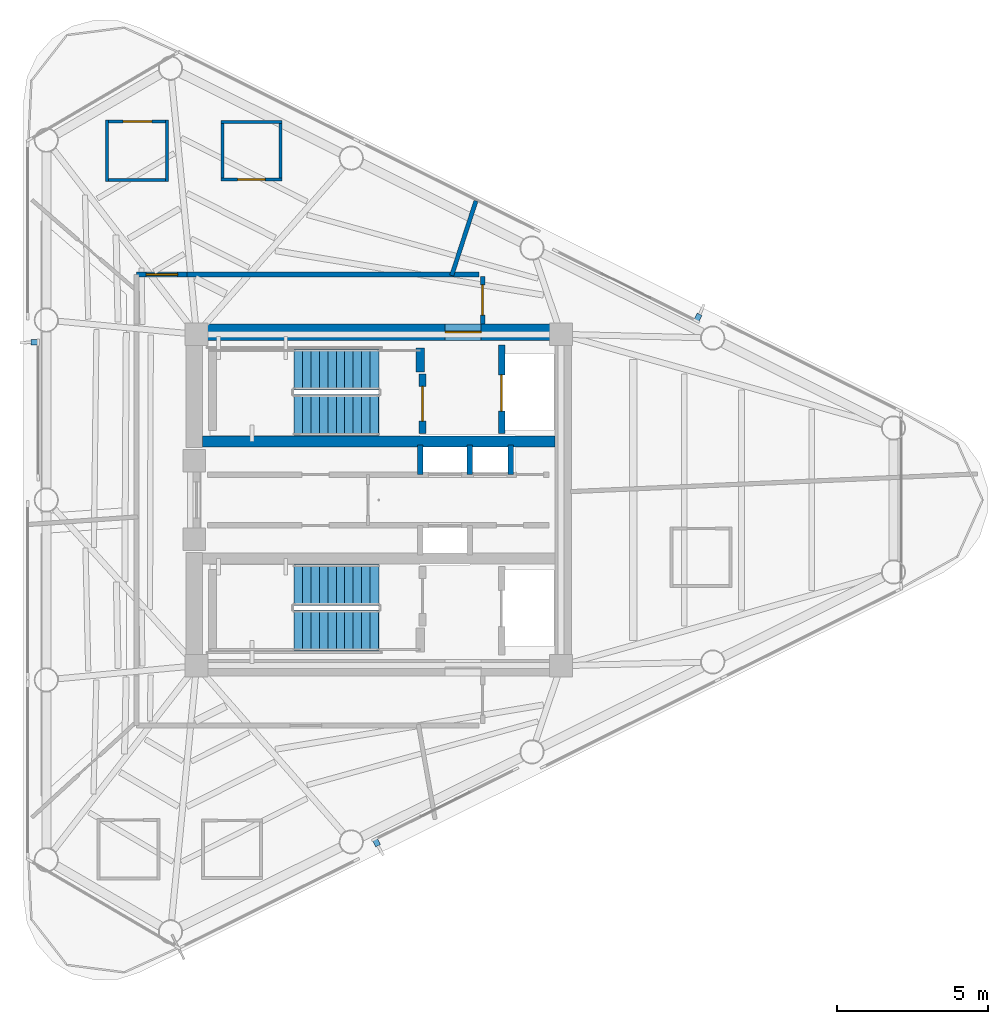
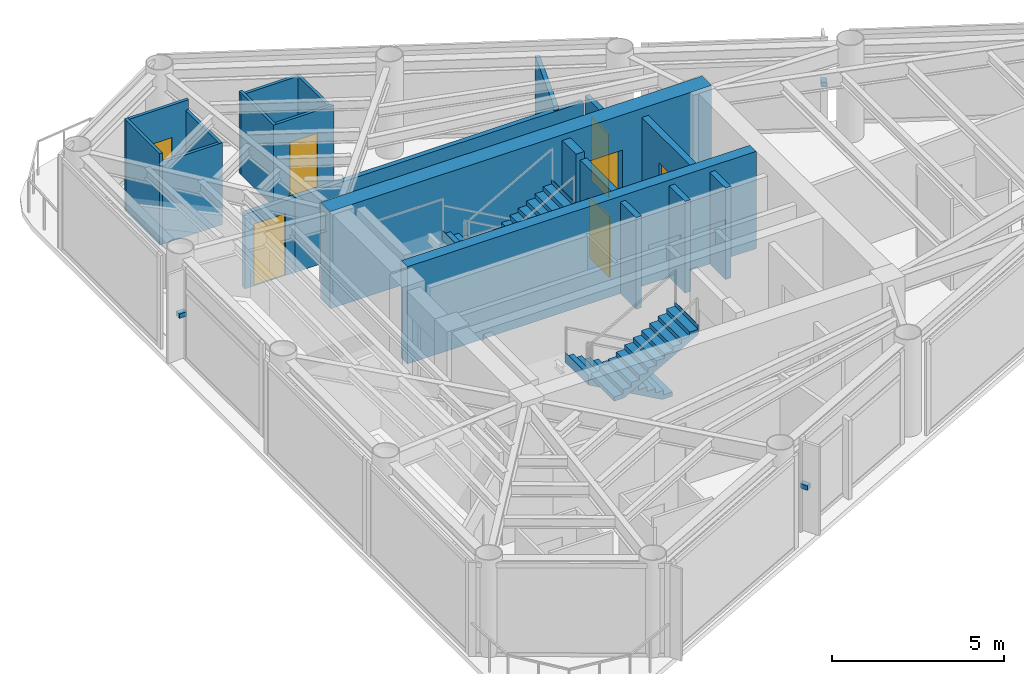
# One storey, part 6 of 10: 20 walls, 7 doors, 4 stair flights, 3 discrete accessories, 7 openings, 2 elements without a shape of their own.
"""IFC4 building model written with IfcOpenShell, lengths in metres."""

from ifc_helpers import new_model, si_unit, direction, frame, frame_2d, origin, origin_2d, place, context, subcontext, project, spatial, polyline, rectangle, outline, extrude, source, transform, mapped, material, layer, layer_set, type_object, element, fill, aggregate, save


model = new_model("IFC4")

# Units and contexts
model_context = context("Model", 3, precision=1e-05, world=origin(), true_north=direction((0.0, 1.0)))
body_context = subcontext(model_context, "Body", "Model", "MODEL_VIEW")
ifc_project = project(units=[si_unit("LENGTHUNIT", "METRE"), si_unit("AREAUNIT", "SQUARE_METRE"), si_unit("VOLUMEUNIT", "CUBIC_METRE"), si_unit("PLANEANGLEUNIT", "RADIAN"), si_unit("MASSUNIT", "GRAM", prefix="KILO")], contexts=[model_context])

# Site, building, storey
site_placement = place(None, origin())
site = spatial("IfcSite", under=ifc_project, at=site_placement, CompositionType="ELEMENT")
building_placement = place(site_placement, origin())
building = spatial("IfcBuilding", under=site, at=building_placement, Name="Yunling Apex Tower", CompositionType="ELEMENT")
storey_placement = place(building_placement, frame((0.0, 0.0, 300.199951171875)))
storey = spatial("IfcBuildingStorey", under=building, at=storey_placement, Name="L73", CompositionType="ELEMENT", Elevation=300.199951171875)

# Wall, opening, door
ifc_material_1 = material(Name="Concrete C40", Category="concrete")
ifc_layer_1 = layer(ifc_material_1, 0.550048828125)
ifc_layer_set_1 = layer_set([ifc_layer_1], Name="Concrete C40")
wall_type_1 = type_object("IfcWallType", Name="WL-COR-3", PredefinedType="SHEAR", material=ifc_layer_set_1)
wall_1_placement = place(storey_placement, frame((-6.39990234375, 5.574951171875, 0.0), z_axis=(0.0, 0.0, 1.0), x_axis=(1.0, 0.0, 0.0)))
wall_1 = element("IfcWall", 1, at=wall_1_placement, inside=storey, type_object=wall_type_1, Name="L73 North Core Shear Wall", PredefinedType="SHEAR", context=body_context, shape_type="SweptSolid", body=[
    extrude(rectangle(XDim=12.7998046875, YDim=0.550048828125, at=frame_2d((6.39990234375, 0.0))), origin(), (0.0, 0.0, 1.0), 3.449951171875),
])
opening_1_placement = place(wall_1_placement, frame((8.60009765625, 0.0, 0.0)))
opening_1 = element("IfcOpeningElement", 2, at=opening_1_placement, cuts=wall_1, Name="Opening DR-FFL-1", PredefinedType="OPENING", context=body_context, shape_type="SweptSolid", body=[
    extrude(rectangle(XDim=1.199951171875, YDim=2.199951171875, at=frame_2d((0.60009765625, 1.10009765625))), frame((0.0, 0.28515625, 0.0), z_axis=(0.0, -1.0, 0.0), x_axis=(1.0, 0.0, 0.0)), (0.0, 0.0, 1.0), 0.570068359375),
])
ifc_material_2 = material(Name="Steel Q355B", Category="steel")
door_type_1 = type_object("IfcDoorType", Name="DR-FFL-1", OperationType="NOTDEFINED", PredefinedType="DOOR", material=ifc_material_2)
door_1_placement = place(opening_1_placement, origin())
door_1 = element("IfcDoor", 3, at=door_1_placement, inside=storey, type_object=door_type_1, Name="L73 North Firefighting Lobby Door", OperationType="SINGLE_SWING_LEFT", OverallHeight=2.199951171875, OverallWidth=1.199951171875, PredefinedType="DOOR", context=body_context, shape_type="SweptSolid", body=[
    extrude(rectangle(XDim=1.199951171875, YDim=2.199951171875, at=frame_2d((0.60009765625, 1.10009765625))), frame((0.0, 0.02490234375, 0.0), z_axis=(0.0, -1.0, 0.0), x_axis=(1.0, 0.0, 0.0)), (0.0, 0.0, 1.0), 0.050048828125),
])
fill(opening_1, door_1)

# Walls
ifc_layer_2 = layer(ifc_material_1, 0.360107421875)
ifc_layer_set_2 = layer_set([ifc_layer_2], Name="Concrete C40")
wall_type_2 = type_object("IfcWallType", Name="WL-COR-4", PredefinedType="SHEAR", material=ifc_layer_set_2)
wall_2_placement = place(storey_placement, frame((-5.85009765625, 1.93994140625, 0.0), z_axis=(0.0, 0.0, 1.0), x_axis=(1.0, 0.0, 0.0)))
element("IfcWall", 4, at=wall_2_placement, inside=storey, type_object=wall_type_2, Name="L73 North Internal Core Shear Wall", PredefinedType="SHEAR", context=body_context, shape_type="SweptSolid", body=[
    extrude(rectangle(XDim=11.7001953125, YDim=0.360107421875, at=frame_2d((5.85009765625, 0.0))), origin(), (0.0, 0.0, 1.0), 3.449951171875),
])
ifc_layer_3 = layer(ifc_material_1, 0.280029296875)
ifc_layer_set_3 = layer_set([ifc_layer_3], Name="Concrete C40")
wall_type_3 = type_object("IfcWallType", Name="WL-COR-8", PredefinedType="SHEAR", material=ifc_layer_set_3)
wall_3_placement = place(storey_placement, frame((1.3798828125, 4.25, 0.0), z_axis=(0.0, 0.0, 1.0), x_axis=(0.0, 1.0, 0.0)))
element("IfcWall", 5, at=wall_3_placement, inside=storey, type_object=wall_type_3, Name="L73 ST-1 East Landing Bearing Pier", PredefinedType="SHEAR", context=body_context, shape_type="SweptSolid", body=[
    extrude(rectangle(XDim=0.800048828125, YDim=0.280029296875, at=frame_2d((0.39990234375, 0.0))), origin(), (0.0, 0.0, 1.0), 3.449951171875),
])

# Wall, opening, door
ifc_material_3 = material(Name="Gypsum board acoustic partition")
ifc_layer_4 = layer(ifc_material_3, 0.159912109375)
ifc_layer_set_4 = layer_set([ifc_layer_4], Name="Gypsum board acoustic partition")
wall_type_4 = type_object("IfcWallType", Name="WL-PRT-1", PredefinedType="PARTITIONING", material=ifc_layer_set_4)
wall_4_placement = place(storey_placement, frame((-8.0400390625, 7.489990234375, 0.0), z_axis=(0.0, 0.0, 1.0), x_axis=(1.0, 0.0, 0.0)))
wall_4 = element("IfcWall", 6, at=wall_4_placement, inside=storey, type_object=wall_type_4, Name="WL-CORR-L73-02", PredefinedType="PARTITIONING", context=body_context, shape_type="SweptSolid", body=[
    extrude(rectangle(XDim=1.679931640625, YDim=0.159912109375, at=frame_2d((0.83984375, 0.0))), origin(), (0.0, 0.0, 1.0), 2.655029296875),
])
opening_2_placement = place(wall_4_placement, frame((0.31494140625, 0.0, 0.0)))
opening_2 = element("IfcOpeningElement", 7, at=opening_2_placement, cuts=wall_4, Name="Opening DR-FL-1", PredefinedType="OPENING", context=body_context, shape_type="SweptSolid", body=[
    extrude(rectangle(XDim=1.050048828125, YDim=2.199951171875, at=frame_2d((0.52490234375, 1.10009765625))), frame((0.0, 0.08984375, 0.0), z_axis=(0.0, -1.0, 0.0), x_axis=(1.0, 0.0, 0.0)), (0.0, 0.0, 1.0), 0.179931640625),
])
ifc_material_4 = material(Name="Timber fire-rated leaf", Category="wood")
door_type_2 = type_object("IfcDoorType", Name="DR-FL-1", OperationType="NOTDEFINED", PredefinedType="DOOR", material=ifc_material_4)
door_2_placement = place(opening_2_placement, origin())
door_2 = element("IfcDoor", 8, at=door_2_placement, inside=storey, type_object=door_type_2, Name="L73 Unit 4 Entrance Door", OperationType="SINGLE_SWING_LEFT", OverallHeight=2.199951171875, OverallWidth=1.050048828125, PredefinedType="DOOR", context=body_context, shape_type="SweptSolid", body=[
    extrude(rectangle(XDim=1.050048828125, YDim=2.199951171875, at=frame_2d((0.52490234375, 1.10009765625))), frame((0.0, 0.02490234375, 0.0), z_axis=(0.0, -1.0, 0.0), x_axis=(1.0, 0.0, 0.0)), (0.0, 0.0, 1.0), 0.050048828125),
])
fill(opening_2, door_2)

# Wall
wall_5_placement = place(storey_placement, frame((-6.360107421875, 7.489990234375, 0.0), z_axis=(0.0, 0.0, 1.0), x_axis=(1.0, 0.0, 0.0)))
element("IfcWall", 9, at=wall_5_placement, inside=storey, type_object=wall_type_4, Name="WL-CORR-L73-03", PredefinedType="PARTITIONING", context=body_context, shape_type="SweptSolid", body=[
    extrude(rectangle(XDim=9.67919921875, YDim=0.159912109375, at=frame_2d((4.839599609375, 0.0))), origin(), (0.0, 0.0, 1.0), 2.655029296875),
])

# Wall, opening, door
wall_6_placement = place(storey_placement, frame((3.449951171875, 7.4248046875, 0.0), z_axis=(0.0, 0.0, 1.0), x_axis=(0.0, -1.0, 0.0)))
wall_6 = element("IfcWall", 10, at=wall_6_placement, inside=storey, type_object=wall_type_4, Name="WL-CORR-L73-04", PredefinedType="PARTITIONING", context=body_context, shape_type="SweptSolid", body=[
    extrude(rectangle(XDim=1.57470703125, YDim=0.159912109375, at=frame_2d((0.787353515625, 0.0))), origin(), (0.0, 0.0, 1.0), 2.85498046875),
])
opening_3_placement = place(wall_6_placement, frame((0.287353515625, 0.0, 0.0)))
opening_3 = element("IfcOpeningElement", 11, at=opening_3_placement, cuts=wall_6, Name="Opening DR-OFF-1", PredefinedType="OPENING", context=body_context, shape_type="SweptSolid", body=[
    extrude(rectangle(XDim=1.0, YDim=2.25, at=frame_2d((0.5, 1.125))), frame((0.0, 0.08984375, 0.0), z_axis=(0.0, -1.0, 0.0), x_axis=(1.0, 0.0, 0.0)), (0.0, 0.0, 1.0), 0.179931640625),
])
ifc_material_5 = material(Name="Bronze anodised aluminium", Category="aluminium")
door_type_3 = type_object("IfcDoorType", Name="DR-OFF-1", OperationType="NOTDEFINED", PredefinedType="DOOR", material=ifc_material_5)
door_3_placement = place(opening_3_placement, origin())
door_3 = element("IfcDoor", 12, at=door_3_placement, inside=storey, type_object=door_type_3, Name="L73 Residents Quiet Study Lounge Door", OperationType="SINGLE_SWING_RIGHT", OverallHeight=2.25, OverallWidth=1.0, PredefinedType="DOOR", context=body_context, shape_type="SweptSolid", body=[
    extrude(rectangle(XDim=1.0, YDim=2.25, at=frame_2d((0.5, 1.125))), frame((0.0, 0.02490234375, 0.0), z_axis=(0.0, -1.0, 0.0), x_axis=(1.0, 0.0, 0.0)), (0.0, 0.0, 1.0), 0.050048828125),
])
fill(opening_3, door_3)

# Walls
ifc_layer_5 = layer(ifc_material_3, 0.139892578125)
ifc_layer_set_5 = layer_set([ifc_layer_5], Name="Gypsum board acoustic partition")
wall_type_5 = type_object("IfcWallType", Name="WL-PRT-2", PredefinedType="PARTITIONING", material=ifc_layer_set_5)
wall_7_placement = place(storey_placement, frame((2.420654296875, 7.449951171875, 0.0), z_axis=(0.0, 0.0, 1.0), x_axis=(0.309047920595, 0.951046467201, 0.0)))
element("IfcWall", 13, at=wall_7_placement, inside=storey, type_object=wall_type_5, Name="WL-RAD-L73-02", PredefinedType="PARTITIONING", context=body_context, shape_type="SweptSolid", body=[
    extrude(rectangle(XDim=2.6044921875, YDim=0.139892578125, at=frame_2d((1.30224609375, 0.0))), origin(), (0.0, 0.0, 1.0), 2.81494140625),
])
ifc_layer_6 = layer(ifc_material_3, 0.10009765625)
ifc_layer_set_6 = layer_set([ifc_layer_6], Name="Gypsum board acoustic partition")
wall_type_6 = type_object("IfcWallType", Name="WL-PRT-4", PredefinedType="PARTITIONING", material=ifc_layer_set_6)
wall_8_placement = place(storey_placement, frame((-5.239013671875, 12.5400390625, 0.0), z_axis=(0.0, 0.0, 1.0), x_axis=(1.0, 0.0, 0.0)))
element("IfcWall", 14, at=wall_8_placement, inside=storey, type_object=wall_type_6, Name="WL-L73-U4BTHN", PredefinedType="PARTITIONING", context=body_context, shape_type="SweptSolid", body=[
    extrude(rectangle(XDim=2.02001953125, YDim=0.10009765625, at=frame_2d((1.010009765625, 0.0))), origin(), (0.0, 0.0, 1.0), 2.81494140625),
])

# Wall, opening, door
wall_9_placement = place(storey_placement, frame((-3.218994140625, 10.639892578125, 0.0), z_axis=(0.0, 0.0, 1.0), x_axis=(-1.0, 0.0, 0.0)))
wall_9 = element("IfcWall", 15, at=wall_9_placement, inside=storey, type_object=wall_type_6, Name="WL-L73-U4BTHS", PredefinedType="PARTITIONING", context=body_context, shape_type="SweptSolid", body=[
    extrude(rectangle(XDim=2.02001953125, YDim=0.10009765625, at=frame_2d((1.010009765625, 0.0))), origin(), (0.0, 0.0, 1.0), 2.905029296875),
])
opening_4_placement = place(wall_9_placement, frame((0.550048828125, 0.0, 0.0)))
opening_4 = element("IfcOpeningElement", 16, at=opening_4_placement, cuts=wall_9, Name="Opening DR-WC-1", PredefinedType="OPENING", context=body_context, shape_type="SweptSolid", body=[
    extrude(rectangle(XDim=0.919921875, YDim=2.10009765625, at=frame_2d((0.4599609375, 1.050048828125))), frame((0.0, 0.06005859375, 0.0), z_axis=(0.0, -1.0, 0.0), x_axis=(1.0, 0.0, 0.0)), (0.0, 0.0, 1.0), 0.1201171875),
])
ifc_material_6 = material(Name="Timber moisture-resistant leaf", Category="wood")
door_type_4 = type_object("IfcDoorType", Name="DR-WC-1", OperationType="NOTDEFINED", PredefinedType="DOOR", material=ifc_material_6)
door_4_placement = place(opening_4_placement, origin())
door_4 = element("IfcDoor", 17, at=door_4_placement, inside=storey, type_object=door_type_4, Name="L73 Unit 4 Bathroom Door", OperationType="SINGLE_SWING_LEFT", OverallHeight=2.10009765625, OverallWidth=0.919921875, PredefinedType="DOOR", context=body_context, shape_type="SweptSolid", body=[
    extrude(rectangle(XDim=0.919921875, YDim=2.10009765625, at=frame_2d((0.4599609375, 1.050048828125))), frame((0.0, 0.02490234375, 0.0), z_axis=(0.0, -1.0, 0.0), x_axis=(1.0, 0.0, 0.0)), (0.0, 0.0, 1.0), 0.050048828125),
])
fill(opening_4, door_4)

# Walls
wall_10_placement = place(storey_placement, frame((-3.26904296875, 12.590087890625, 0.0), z_axis=(0.0, 0.0, 1.0), x_axis=(0.0, -1.0, 0.0)))
element("IfcWall", 18, at=wall_10_placement, inside=storey, type_object=wall_type_6, Name="WL-L73-U4BTHE", PredefinedType="PARTITIONING", context=body_context, shape_type="SweptSolid", body=[
    extrude(rectangle(XDim=2.0, YDim=0.10009765625, at=frame_2d((1.0, 0.0))), origin(), (0.0, 0.0, 1.0), 2.81494140625),
])
wall_11_placement = place(storey_placement, frame((-5.18896484375, 10.590087890625, 0.0), z_axis=(0.0, 0.0, 1.0), x_axis=(0.0, 1.0, 0.0)))
element("IfcWall", 19, at=wall_11_placement, inside=storey, type_object=wall_type_6, Name="WL-L73-U4BTHW", PredefinedType="PARTITIONING", context=body_context, shape_type="SweptSolid", body=[
    extrude(rectangle(XDim=2.0, YDim=0.10009765625, at=frame_2d((1.0, 0.0))), origin(), (0.0, 0.0, 1.0), 2.905029296875),
])

# Wall, opening, door
wall_12_placement = place(storey_placement, frame((-9.074951171875, 12.56494140625, 0.0), z_axis=(0.0, 0.0, 1.0), x_axis=(1.0, 0.0, 0.0)))
wall_12 = element("IfcWall", 20, at=wall_12_placement, inside=storey, type_object=wall_type_6, Name="WL-L73-U4KITN", PredefinedType="PARTITIONING", context=body_context, shape_type="SweptSolid", body=[
    extrude(rectangle(XDim=2.099853515625, YDim=0.10009765625, at=frame_2d((1.0498046875, 0.0))), origin(), (0.0, 0.0, 1.0), 3.25),
])
opening_5_placement = place(wall_12_placement, frame((0.590087890625, 0.0, 0.0)))
opening_5 = element("IfcOpeningElement", 21, at=opening_5_placement, cuts=wall_12, Name="Opening DR-RM-1", PredefinedType="OPENING", context=body_context, shape_type="SweptSolid", body=[
    extrude(rectangle(XDim=0.949951171875, YDim=2.10009765625, at=frame_2d((0.47509765625, 1.050048828125))), frame((0.0, 0.06005859375, 0.0), z_axis=(0.0, -1.0, 0.0), x_axis=(1.0, 0.0, 0.0)), (0.0, 0.0, 1.0), 0.1201171875),
])
ifc_material_7 = material(Name="Timber flush leaf", Category="wood")
door_type_5 = type_object("IfcDoorType", Name="DR-RM-1", OperationType="NOTDEFINED", PredefinedType="DOOR", material=ifc_material_7)
door_5_placement = place(opening_5_placement, origin())
door_5 = element("IfcDoor", 22, at=door_5_placement, inside=storey, type_object=door_type_5, Name="L73 Unit 4 Kitchen Door", OperationType="SINGLE_SWING_RIGHT", OverallHeight=2.10009765625, OverallWidth=0.949951171875, PredefinedType="DOOR", context=body_context, shape_type="SweptSolid", body=[
    extrude(rectangle(XDim=0.949951171875, YDim=2.10009765625, at=frame_2d((0.47509765625, 1.050048828125))), frame((0.0, 0.02490234375, 0.0), z_axis=(0.0, -1.0, 0.0), x_axis=(1.0, 0.0, 0.0)), (0.0, 0.0, 1.0), 0.050048828125),
])
fill(opening_5, door_5)

# Walls
wall_13_placement = place(storey_placement, frame((-6.97509765625, 10.614990234375, 0.0), z_axis=(0.0, 0.0, 1.0), x_axis=(-1.0, 0.0, 0.0)))
element("IfcWall", 23, at=wall_13_placement, inside=storey, type_object=wall_type_6, Name="WL-L73-U4KITS", PredefinedType="PARTITIONING", context=body_context, shape_type="SweptSolid", body=[
    extrude(rectangle(XDim=2.099853515625, YDim=0.10009765625, at=frame_2d((1.0498046875, 0.0))), origin(), (0.0, 0.0, 1.0), 2.905029296875),
])
wall_14_placement = place(storey_placement, frame((-7.02490234375, 12.614990234375, 0.0), z_axis=(0.0, 0.0, 1.0), x_axis=(0.0, -1.0, 0.0)))
element("IfcWall", 24, at=wall_14_placement, inside=storey, type_object=wall_type_6, Name="WL-L73-U4KITE", PredefinedType="PARTITIONING", context=body_context, shape_type="SweptSolid", body=[
    extrude(rectangle(XDim=2.050048828125, YDim=0.10009765625, at=frame_2d((1.02490234375, 0.0))), origin(), (0.0, 0.0, 1.0), 2.905029296875),
])
wall_15_placement = place(storey_placement, frame((-9.02490234375, 10.56494140625, 0.0), z_axis=(0.0, 0.0, 1.0), x_axis=(0.0, 1.0, 0.0)))
element("IfcWall", 25, at=wall_15_placement, inside=storey, type_object=wall_type_6, Name="WL-L73-U4KITW", PredefinedType="PARTITIONING", context=body_context, shape_type="SweptSolid", body=[
    extrude(rectangle(XDim=2.050048828125, YDim=0.10009765625, at=frame_2d((1.02490234375, 0.0))), origin(), (0.0, 0.0, 1.0), 3.25),
])

# Wall, opening, door
ifc_material_8 = material(Name="Autoclaved aerated concrete masonry", Category="masonry")
ifc_layer_7 = layer(ifc_material_8, 0.219970703125)
ifc_layer_set_7 = layer_set([ifc_layer_7], Name="Autoclaved aerated concrete masonry")
wall_type_7 = type_object("IfcWallType", Name="WL-SHF-1", PredefinedType="PLUMBINGWALL", material=ifc_layer_set_7)
wall_16_placement = place(storey_placement, frame((1.449951171875, 2.199951171875, 0.0), z_axis=(0.0, 0.0, 1.0), x_axis=(0.0, 1.0, 0.0)))
wall_16 = element("IfcWall", 26, at=wall_16_placement, inside=storey, type_object=wall_type_7, Name="WL-ST1-E-L73", PredefinedType="PLUMBINGWALL", context=body_context, shape_type="SweptSolid", body=[
    extrude(rectangle(XDim=1.97998046875, YDim=0.219970703125, at=frame_2d((0.989990234375, 0.0))), origin(), (0.0, 0.0, 1.0), 3.25),
])
opening_6_placement = place(wall_16_placement, frame((0.419921875, 0.0, 0.0)))
opening_6 = element("IfcOpeningElement", 27, at=opening_6_placement, cuts=wall_16, Name="Opening DR-ST-1", PredefinedType="OPENING", context=body_context, shape_type="SweptSolid", body=[
    extrude(rectangle(XDim=1.14990234375, YDim=2.14990234375, at=frame_2d((0.574951171875, 1.074951171875))), frame((0.0, 0.1201171875, 0.0), z_axis=(0.0, -1.0, 0.0), x_axis=(1.0, 0.0, 0.0)), (0.0, 0.0, 1.0), 0.239990234375),
])
door_type_6 = type_object("IfcDoorType", Name="DR-ST-1", OperationType="NOTDEFINED", PredefinedType="DOOR", material=ifc_material_2)
door_6_placement = place(opening_6_placement, origin())
door_6 = element("IfcDoor", 28, at=door_6_placement, inside=storey, type_object=door_type_6, Name="L73 Stair ST-1 Fire Door", OperationType="SINGLE_SWING_LEFT", OverallHeight=2.14990234375, OverallWidth=1.14990234375, PredefinedType="DOOR", context=body_context, shape_type="SweptSolid", body=[
    extrude(rectangle(XDim=1.14990234375, YDim=2.14990234375, at=frame_2d((0.574951171875, 1.074951171875))), frame((0.0, 0.02490234375, 0.0), z_axis=(0.0, -1.0, 0.0), x_axis=(1.0, 0.0, 0.0)), (0.0, 0.0, 1.0), 0.050048828125),
])
fill(opening_6, door_6)

wall_17_placement = place(storey_placement, frame((4.080078125, 2.199951171875, 0.0), z_axis=(0.0, 0.0, 1.0), x_axis=(0.0, 1.0, 0.0)))
wall_17 = element("IfcWall", 29, at=wall_17_placement, inside=storey, type_object=wall_type_7, Name="WL-FFL1-W-L73", PredefinedType="PLUMBINGWALL", context=body_context, shape_type="SweptSolid", body=[
    extrude(rectangle(XDim=2.949951171875, YDim=0.219970703125, at=frame_2d((1.47509765625, 0.0))), origin(), (0.0, 0.0, 1.0), 3.25),
])
opening_7_placement = place(wall_17_placement, frame((0.75, 0.0, 0.0)))
opening_7 = element("IfcOpeningElement", 30, at=opening_7_placement, cuts=wall_17, Name="Opening LD-FFL-1", PredefinedType="OPENING", context=body_context, shape_type="SweptSolid", body=[
    extrude(rectangle(XDim=1.199951171875, YDim=2.25, at=frame_2d((0.60009765625, 1.125))), frame((0.0, 0.1201171875, 0.0), z_axis=(0.0, -1.0, 0.0), x_axis=(1.0, 0.0, 0.0)), (0.0, 0.0, 1.0), 0.239990234375),
])
door_type_7 = type_object("IfcDoorType", Name="LD-FFL-1", OperationType="DOUBLE_DOOR_SLIDING", PredefinedType="DOOR", material=ifc_material_2)
door_7_placement = place(opening_7_placement, origin())
door_7 = element("IfcDoor", 31, at=door_7_placement, inside=storey, type_object=door_type_7, Name="L73 Lift FFL-1 Landing Door", OperationType="DOUBLE_DOOR_SLIDING", OverallHeight=2.25, OverallWidth=1.199951171875, PredefinedType="DOOR", context=body_context, shape_type="SweptSolid", body=[
    extrude(rectangle(XDim=1.199951171875, YDim=2.25, at=frame_2d((0.60009765625, 1.125))), frame((0.0, 0.02490234375, 0.0), z_axis=(0.0, -1.0, 0.0), x_axis=(1.0, 0.0, 0.0)), (0.0, 0.0, 1.0), 0.050048828125),
])
fill(opening_7, door_7)

# Walls
ifc_layer_8 = layer(ifc_material_8, 0.179931640625)
ifc_layer_set_8 = layer_set([ifc_layer_8], Name="Autoclaved aerated concrete masonry")
wall_type_8 = type_object("IfcWallType", Name="WL-SHF-2", PredefinedType="PLUMBINGWALL", material=ifc_layer_set_8)
for number, where, z_axis, x_axis, name in (
    (32, (1.3798828125, 0.840087890625, 0.0), (0.0, 0.0, 1.0), (0.0, 1.0, 0.0), "WL-BNK-MH-N-L73"),
    (33, (3.02001953125, 0.840087890625, 0.0), (0.0, 0.0, 1.0), (0.0, 1.0, 0.0), "WL-DIV-H13-L73"),
    (34, (4.3798828125, 0.840087890625, 0.0), (0.0, 0.0, 1.0), (0.0, 1.0, 0.0), "WL-END-H3E-L73"),
):
    element("IfcWall", number, at=place(storey_placement, frame(where, z_axis=z_axis, x_axis=x_axis)), inside=storey, type_object=wall_type_8, Name=name, PredefinedType="PLUMBINGWALL", context=body_context, shape_type="SweptSolid", body=[
        extrude(rectangle(XDim=0.97998046875, YDim=0.179931640625, at=frame_2d((0.489990234375, 0.0))), origin(), (0.0, 0.0, 1.0), 3.25),
    ])

# Stair, stair flights
stair_type = type_object("IfcStairType", Name="ST-TWR-3", PredefinedType="HALF_TURN_STAIR", material=ifc_material_1)
stair_1_placement = place(storey_placement, origin())
stair_1 = element("IfcStair", 35, at=stair_1_placement, inside=storey, type_object=stair_type, Name="L73 North Core Smokeproof Exit Stair ST-1", PredefinedType="HALF_TURN_STAIR")
stair_flight_type = type_object("IfcStairFlightType", Name="SFL-TWR-3", PredefinedType="STRAIGHT", material=ifc_material_1)
stair_flight_1_placement = place(storey_placement, frame((-0.010009765625, 4.330078125, 0.0), z_axis=(0.0, 0.0, 1.0), x_axis=(-1.0, 0.0, 0.0)))
stair_flight_1 = element("IfcStairFlight", 36, at=stair_flight_1_placement, type_object=stair_flight_type, Name="ST-1 flight 1", NumberOfRisers=11, NumberOfTreads=10, PredefinedType="STRAIGHT", RiserHeight=0.156818182, TreadLength=0.28, context=body_context, shape_type="SweptSolid", body=[
    extrude(outline(polyline([(-0.011962890625, 0.0), (-0.011962890625, 0.15673828125), (0.0, 0.15673828125), (0.280029296875, 0.15673828125), (0.280029296875, 0.313720703125), (0.56005859375, 0.313720703125), (0.56005859375, 0.470458984375), (0.840087890625, 0.470458984375), (0.840087890625, 0.627197265625), (1.1201171875, 0.627197265625), (1.1201171875, 0.7841796875), (1.39990234375, 0.7841796875), (1.39990234375, 0.94091796875), (1.679931640625, 0.94091796875), (1.679931640625, 1.09765625), (1.9599609375, 1.09765625), (1.9599609375, 1.254638671875), (2.239990234375, 1.254638671875), (2.239990234375, 1.411376953125), (2.52001953125, 1.411376953125), (2.52001953125, 1.568115234375), (2.800048828125, 1.568115234375), (2.800048828125, 1.72509765625), (2.81201171875, 1.72509765625), (2.81201171875, 1.385009765625), (0.3271484375, 0.0), (-0.011962890625, 0.0)])), frame((0.0, 0.68017578125, 0.0), z_axis=(0.0, -1.0, 0.0), x_axis=(1.0, 0.0, 0.0)), (0.0, 0.0, 1.0), 1.360107421875),
])
stair_flight_2_placement = place(storey_placement, frame((-2.81005859375, 2.820068359375, 1.72509765625), z_axis=(0.0, 0.0, 1.0), x_axis=(1.0, 0.0, 0.0)))
stair_flight_2 = element("IfcStairFlight", 37, at=stair_flight_2_placement, type_object=stair_flight_type, Name="ST-1 flight 2", NumberOfRisers=11, NumberOfTreads=10, PredefinedType="STRAIGHT", RiserHeight=0.156818182, TreadLength=0.28, context=body_context, shape_type="SweptSolid", body=[
    extrude(outline(polyline([(-0.011962890625, 0.0), (-0.011962890625, 0.15673828125), (0.0, 0.15673828125), (0.280029296875, 0.15673828125), (0.280029296875, 0.313720703125), (0.56005859375, 0.313720703125), (0.56005859375, 0.470458984375), (0.840087890625, 0.470458984375), (0.840087890625, 0.627197265625), (1.1201171875, 0.627197265625), (1.1201171875, 0.7841796875), (1.39990234375, 0.7841796875), (1.39990234375, 0.94091796875), (1.679931640625, 0.94091796875), (1.679931640625, 1.09765625), (1.9599609375, 1.09765625), (1.9599609375, 1.254638671875), (2.239990234375, 1.254638671875), (2.239990234375, 1.411376953125), (2.52001953125, 1.411376953125), (2.52001953125, 1.568115234375), (2.800048828125, 1.568115234375), (2.800048828125, 1.72509765625), (2.81201171875, 1.72509765625), (2.81201171875, 1.385009765625), (0.3271484375, 0.0), (-0.011962890625, 0.0)])), frame((0.0, 0.68017578125, 0.0), z_axis=(0.0, -1.0, 0.0), x_axis=(1.0, 0.0, 0.0)), (0.0, 0.0, 1.0), 1.360107421875),
])
aggregate(stair_1, [stair_flight_1, stair_flight_2])

stair_2_placement = place(storey_placement, origin())
stair_2 = element("IfcStair", 38, at=stair_2_placement, inside=storey, type_object=stair_type, Name="L73 South Core Smokeproof Exit Stair ST-2", PredefinedType="HALF_TURN_STAIR")
stair_flight_3_placement = place(storey_placement, frame((-0.010009765625, -2.820068359375, 0.0), z_axis=(0.0, 0.0, 1.0), x_axis=(-1.0, 0.0, 0.0)))
stair_flight_3 = element("IfcStairFlight", 39, at=stair_flight_3_placement, type_object=stair_flight_type, Name="ST-2 flight 1", NumberOfRisers=11, NumberOfTreads=10, PredefinedType="STRAIGHT", RiserHeight=0.156818182, TreadLength=0.28, context=body_context, shape_type="SweptSolid", body=[
    extrude(outline(polyline([(-0.011962890625, 0.0), (-0.011962890625, 0.15673828125), (0.0, 0.15673828125), (0.280029296875, 0.15673828125), (0.280029296875, 0.313720703125), (0.56005859375, 0.313720703125), (0.56005859375, 0.470458984375), (0.840087890625, 0.470458984375), (0.840087890625, 0.627197265625), (1.1201171875, 0.627197265625), (1.1201171875, 0.7841796875), (1.39990234375, 0.7841796875), (1.39990234375, 0.94091796875), (1.679931640625, 0.94091796875), (1.679931640625, 1.09765625), (1.9599609375, 1.09765625), (1.9599609375, 1.254638671875), (2.239990234375, 1.254638671875), (2.239990234375, 1.411376953125), (2.52001953125, 1.411376953125), (2.52001953125, 1.568115234375), (2.800048828125, 1.568115234375), (2.800048828125, 1.72509765625), (2.81201171875, 1.72509765625), (2.81201171875, 1.385009765625), (0.3271484375, 0.0), (-0.011962890625, 0.0)])), frame((0.0, 0.68017578125, 0.0), z_axis=(0.0, -1.0, 0.0), x_axis=(1.0, 0.0, 0.0)), (0.0, 0.0, 1.0), 1.360107421875),
])
stair_flight_4_placement = place(storey_placement, frame((-2.81005859375, -4.330078125, 1.72509765625), z_axis=(0.0, 0.0, 1.0), x_axis=(1.0, 0.0, 0.0)))
stair_flight_4 = element("IfcStairFlight", 40, at=stair_flight_4_placement, type_object=stair_flight_type, Name="ST-2 flight 2", NumberOfRisers=11, NumberOfTreads=10, PredefinedType="STRAIGHT", RiserHeight=0.156818182, TreadLength=0.28, context=body_context, shape_type="SweptSolid", body=[
    extrude(outline(polyline([(-0.011962890625, 0.0), (-0.011962890625, 0.15673828125), (0.0, 0.15673828125), (0.280029296875, 0.15673828125), (0.280029296875, 0.313720703125), (0.56005859375, 0.313720703125), (0.56005859375, 0.470458984375), (0.840087890625, 0.470458984375), (0.840087890625, 0.627197265625), (1.1201171875, 0.627197265625), (1.1201171875, 0.7841796875), (1.39990234375, 0.7841796875), (1.39990234375, 0.94091796875), (1.679931640625, 0.94091796875), (1.679931640625, 1.09765625), (1.9599609375, 1.09765625), (1.9599609375, 1.254638671875), (2.239990234375, 1.254638671875), (2.239990234375, 1.411376953125), (2.52001953125, 1.411376953125), (2.52001953125, 1.568115234375), (2.800048828125, 1.568115234375), (2.800048828125, 1.72509765625), (2.81201171875, 1.72509765625), (2.81201171875, 1.385009765625), (0.3271484375, 0.0), (-0.011962890625, 0.0)])), frame((0.0, 0.68017578125, 0.0), z_axis=(0.0, -1.0, 0.0), x_axis=(1.0, 0.0, 0.0)), (0.0, 0.0, 1.0), 1.360107421875),
])
aggregate(stair_2, [stair_flight_3, stair_flight_4])

# Discrete accessories
discrete_accessory_type = type_object("IfcDiscreteAccessoryType", Name="BK-FIN-1", PredefinedType="BRACKET", material=ifc_material_2)
shared_shape = source(origin(), body_context, "Body", "SweptSolid", [
    extrude(rectangle(XDim=0.179931640625, YDim=0.260009765625, at=origin_2d()), origin(), (0.0, 0.0, 1.0), 0.159912109375),
])
for number, where, z_axis, x_axis, name in (
    (41, (-0.08203125, -11.361083984375, 1.55517578125), (0.0, 0.0, 1.0), (0.895245648325, 0.445572922377, 0.0), "CW-L73-F1-B2-BRK-01-1"),
    (42, (10.59326171875, 6.047607421875, 1.55517578125), (0.0, 0.0, 1.0), (-0.895245648325, 0.445572922377, 0.0), "CW-L73-F2-B2-BRK-01-1"),
    (43, (-11.417236328125, 5.232666015625, 1.55517578125), (0.0, 0.0, 1.0), (0.0, -1.0, 0.0), "CW-L73-F3-B2-BRK-01-1"),
):
    element("IfcDiscreteAccessory", number, at=place(storey_placement, frame(where, z_axis=z_axis, x_axis=x_axis)), inside=storey, type_object=discrete_accessory_type, Name=name, PredefinedType="BRACKET", context=body_context, shape_type="MappedRepresentation", body=[
        mapped(shared_shape, transform((0.0, 0.0, 0.0), scale=1.0)),
    ])

save(model, "model.ifc")
